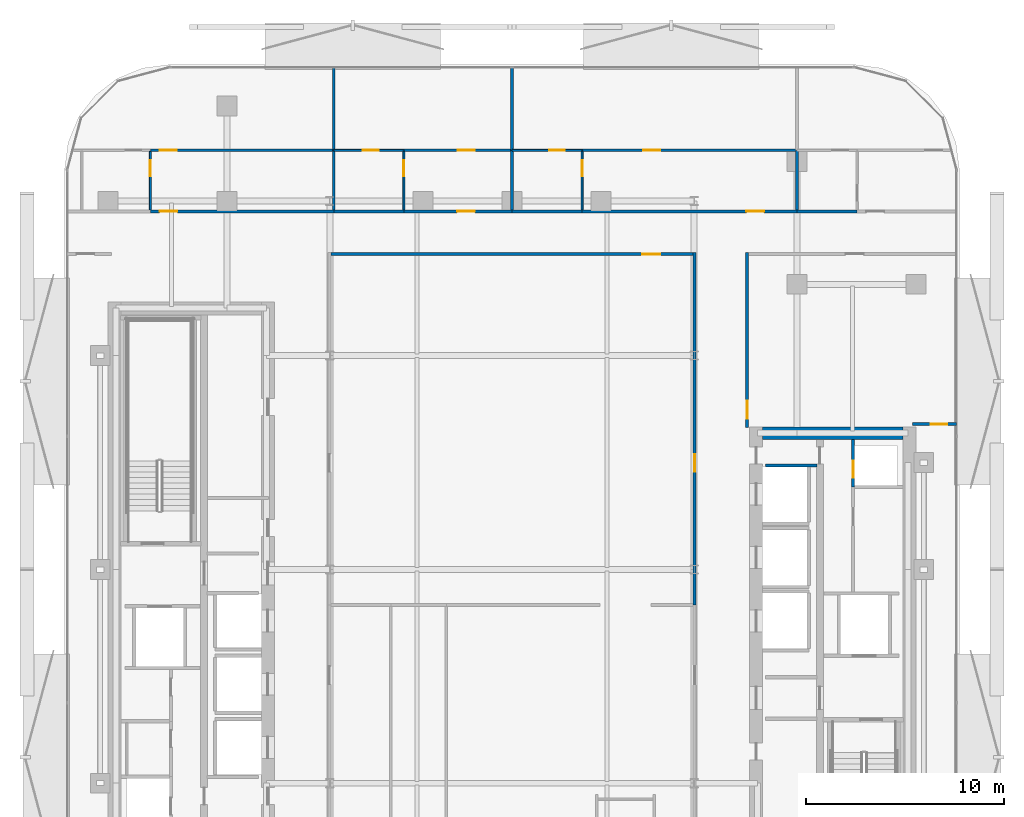
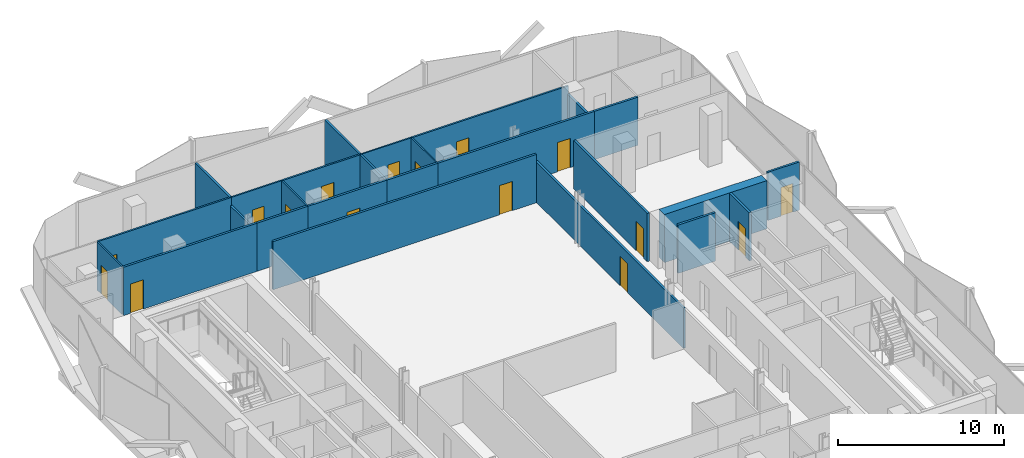
# One storey, part 6 of 17: 26 walls, 16 doors, 16 openings.
"""IFC4 building model written with IfcOpenShell, lengths in metres."""

import ifcopenshell
import ifcopenshell.guid

model = None  # the IFC model being written
_history = None  # IfcOwnerHistory: only IFC2X3 demands one
_inside = {}  # id of a spatial element -> (the spatial element, [elements in it])
_under = {}  # id of a project, library or spatial element -> (it, [spatial elements below it])
_declared = {}  # id of a project -> (the project, [libraries it declares])
_typed = {}  # id of a type object -> (the type object, [elements of that type])
_made_of = {}  # id of a material, layer set ... -> (it, [elements and type objects made of it])


def new_model(schema):
    """Start an empty IFC model of exactly this schema.

    Asked for "IFC4X3", IfcOpenShell would pick the latest addendum, in which some entities
    have other attributes; the version numbers below select the first issue.
    IFC2X3 requires an IfcOwnerHistory on every rooted entity: one is made here for all.
    """
    global model, _history
    if schema == "IFC4X3":
        model = ifcopenshell.file(schema_version=(4, 3, 0, 0))
    else:
        model = ifcopenshell.file(schema=schema)
    _inside.clear()
    _under.clear()
    _declared.clear()
    _typed.clear()
    _made_of.clear()
    _history = None
    if model.schema == "IFC2X3":
        org = make("IfcOrganization", Name="unknown")
        user = make(
            "IfcPersonAndOrganization",
            ThePerson=make("IfcPerson", FamilyName="unknown"),
            TheOrganization=org,
        )
        app = make(
            "IfcApplication",
            ApplicationDeveloper=org,
            Version="unknown",
            ApplicationFullName="unknown",
            ApplicationIdentifier="unknown",
        )
        _history = make(
            "IfcOwnerHistory",
            OwningUser=user,
            OwningApplication=app,
            ChangeAction="ADDED",
            CreationDate=0,
        )
    return model


def make(cls, **values):
    """One entity of the class cls with the attributes given. An attribute that is None is left unset."""
    return model.create_entity(
        cls, **{name: value for name, value in values.items() if value is not None}
    )


def rooted(cls, **values):
    """An entity with a GlobalId (a new one), such as an element, a storey or a relation."""
    return make(cls, GlobalId=ifcopenshell.guid.new(), OwnerHistory=_history, **values)


def si_unit(unit_type, name, prefix=None):
    """IfcSIUnit, for example si_unit("LENGTHUNIT", "METRE", prefix="MILLI")."""
    return make("IfcSIUnit", UnitType=unit_type, Prefix=prefix, Name=name)


def assignment(units):
    """IfcUnitAssignment: the units of a project."""
    return None if units is None else make("IfcUnitAssignment", Units=units)


def point(xyz):
    """IfcCartesianPoint."""
    return None if xyz is None else make("IfcCartesianPoint", Coordinates=xyz)


def direction(xyz):
    """IfcDirection."""
    return None if xyz is None else make("IfcDirection", DirectionRatios=xyz)


def frame(location, z_axis=None, x_axis=None):
    """IfcAxis2Placement3D, a coordinate frame: its origin and axes. An axis left out is left unset."""
    return make(
        "IfcAxis2Placement3D",
        Location=point(location),
        Axis=direction(z_axis),
        RefDirection=direction(x_axis),
    )


def frame_2d(location, x_axis=None):
    """IfcAxis2Placement2D, a coordinate frame in the plane: its origin and x axis."""
    return make(
        "IfcAxis2Placement2D", Location=point(location), RefDirection=direction(x_axis)
    )


def origin():
    """The frame at (0, 0, 0) with its axes left unset."""
    return frame((0.0, 0.0, 0.0))


def place(relative_to, where):
    """IfcLocalPlacement: puts the frame where relative to a parent placement (None: the world)."""
    return make(
        "IfcLocalPlacement", PlacementRelTo=relative_to, RelativePlacement=where
    )


def context(
    kind, dimensions, precision=None, world=None, true_north=None, identifier=None
):
    """IfcGeometricRepresentationContext, for example the 3D "Model" context."""
    return make(
        "IfcGeometricRepresentationContext",
        ContextIdentifier=identifier,
        ContextType=kind,
        CoordinateSpaceDimension=dimensions,
        Precision=precision,
        WorldCoordinateSystem=world,
        TrueNorth=true_north,
    )


def subcontext(parent, identifier, kind, view, scale=None):
    """IfcGeometricRepresentationSubContext, for example "Body" below "Model"."""
    return make(
        "IfcGeometricRepresentationSubContext",
        ContextIdentifier=identifier,
        ContextType=kind,
        ParentContext=parent,
        TargetScale=scale,
        TargetView=view,
    )


def project(units=None, contexts=None):
    """IfcProject with its units and contexts."""
    return rooted(
        "IfcProject",
        Name="project",
        RepresentationContexts=contexts,
        UnitsInContext=assignment(units),
    )


def spatial(cls, under=None, at=None, **own):
    """A site, building, storey or space (cls), placed at a placement, below another one or the project."""
    s = rooted(cls, ObjectPlacement=at, **own)
    if under is not None:
        _under.setdefault(under.id(), (under, []))[1].append(s)
    return s


def profile(cls, at=None, kind="AREA", **sizes):
    """A parametric profile (cls). Its sizes go by their IFC names, for example OverallWidth=200.0."""
    return make(cls, ProfileType=kind, Position=at, **sizes)


def rectangle(**sizes):
    """IfcRectangleProfileDef."""
    return profile("IfcRectangleProfileDef", **sizes)


def extrude(swept, where, along, depth):
    """IfcExtrudedAreaSolid: the profile swept, set in the frame where, extruded along a direction by depth."""
    return make(
        "IfcExtrudedAreaSolid",
        SweptArea=swept,
        Position=where,
        ExtrudedDirection=direction(along),
        Depth=depth,
    )


def shape(context_of_items, identifier, shape_type, items):
    """IfcShapeRepresentation: the items that make up one representation, for example the "Body"."""
    return make(
        "IfcShapeRepresentation",
        ContextOfItems=context_of_items,
        RepresentationIdentifier=identifier,
        RepresentationType=shape_type,
        Items=items,
    )


def material(Name=None, Category=None):
    """IfcMaterial."""
    return make("IfcMaterial", Name=Name, Category=Category)


def layer(
    of_material, thickness, ventilated=None, Name=None, Category=None, Priority=None
):
    """IfcMaterialLayer: one layer of a wall or slab, of a material (None: an air gap)."""
    return make(
        "IfcMaterialLayer",
        Material=of_material,
        LayerThickness=thickness,
        IsVentilated=ventilated,
        Name=Name,
        Category=Category,
        Priority=Priority,
    )


def layer_set(layers, Name=None):
    """IfcMaterialLayerSet."""
    return make("IfcMaterialLayerSet", MaterialLayers=layers, LayerSetName=Name)


def made_of(thing, what):
    """Note that an element or type object is made of a material, layer set ...; save() writes the relation."""
    if what is not None:
        _made_of.setdefault(what.id(), (what, []))[1].append(thing)
    return thing


def type_object(cls, material=None, **own):
    """A type object (cls), such as IfcWallType, which elements share."""
    return made_of(rooted(cls, **own), material)


def element(
    cls,
    number,
    at=None,
    inside=None,
    cuts=None,
    type_object=None,
    material=None,
    context=None,
    identifier="Body",
    shape_type=None,
    held_by="IfcProductDefinitionShape",
    body=None,
    shapes=None,
    **own,
):
    """One element of the class cls, such as IfcWall. Its Tag is "e" and its number.

    at: its placement. inside: the storey or other place that contains it. cuts: it is an
    opening in that element (IfcRelVoidsElement). A single representation is given by context,
    identifier, shape_type and body (its items); several are given by shapes. held_by: the class
    of the entity that holds the representations. save() writes the other relations.
    """
    e = rooted(cls, Tag="e%d" % number, ObjectPlacement=at, **own)
    if body is not None:
        shapes = [shape(context, identifier, shape_type, body)]
    if shapes is not None:
        e.Representation = make(held_by, Representations=shapes)
    if inside is not None:
        _inside.setdefault(inside.id(), (inside, []))[1].append(e)
    if cuts is not None:
        rooted(
            "IfcRelVoidsElement", RelatingBuildingElement=cuts, RelatedOpeningElement=e
        )
    if type_object is not None:
        _typed.setdefault(type_object.id(), (type_object, []))[1].append(e)
    return made_of(e, material)


def fill(opening, filler):
    """IfcRelFillsElement: the door or window that sits in an opening."""
    return rooted(
        "IfcRelFillsElement",
        RelatingOpeningElement=opening,
        RelatedBuildingElement=filler,
    )


def aggregate(whole, parts):
    """IfcRelAggregates: a whole, such as a stair, and the parts it consists of."""
    return rooted("IfcRelAggregates", RelatingObject=whole, RelatedObjects=parts)


def save(model, path):
    """Write the relations noted so far, then the file.

    IfcRelAggregates (storeys below a building ...), IfcRelContainedInSpatialStructure (elements
    in a storey), IfcRelDefinesByType, IfcRelAssociatesMaterial and IfcRelDeclares: one each for
    every whole, place, type object, material and project.
    """
    for whole, parts in _under.values():
        aggregate(whole, parts)
    for where, things in _inside.values():
        rooted(
            "IfcRelContainedInSpatialStructure",
            RelatedElements=things,
            RelatingStructure=where,
        )
    for kind, things in _typed.values():
        rooted("IfcRelDefinesByType", RelatedObjects=things, RelatingType=kind)
    for what, things in _made_of.values():
        rooted("IfcRelAssociatesMaterial", RelatedObjects=things, RelatingMaterial=what)
    for by, libraries in _declared.values():
        rooted("IfcRelDeclares", RelatingContext=by, RelatedDefinitions=libraries)
    model.write(path)


model = new_model("IFC4")

# Units and contexts
model_context = context("Model", 3, precision=1e-05, world=origin(), true_north=direction((0.0, 1.0)))
body_context = subcontext(model_context, "Body", "Model", "MODEL_VIEW")
ifc_project = project(units=[si_unit("LENGTHUNIT", "METRE"), si_unit("AREAUNIT", "SQUARE_METRE"), si_unit("VOLUMEUNIT", "CUBIC_METRE"), si_unit("PLANEANGLEUNIT", "RADIAN"), si_unit("MASSUNIT", "GRAM", prefix="KILO")], contexts=[model_context])

# Site, building, storey
site_placement = place(None, origin())
site = spatial("IfcSite", under=ifc_project, at=site_placement, CompositionType="ELEMENT")
building_placement = place(site_placement, origin())
building = spatial("IfcBuilding", under=site, at=building_placement, Name="Khairoan Windgate Tower", CompositionType="ELEMENT")
storey_placement = place(building_placement, frame((0.0, 0.0, 203.0)))
storey = spatial("IfcBuildingStorey", under=building, at=storey_placement, Name="L47", CompositionType="ELEMENT", Elevation=203.0)

# Wall, opening, door
ifc_material_1 = material(Name="Moisture-Resistant Gypsum Partition", Category="gypsum")
ifc_layer_1 = layer(ifc_material_1, 0.10009765625, Name="Moisture-Resistant Gypsum Partition")
ifc_layer_set_1 = layer_set([ifc_layer_1], Name="Moisture-Resistant Gypsum Partition")
wall_type_1 = type_object("IfcWallType", Name="Bathroom Wet-Area Partition Wall", PredefinedType="PARTITIONING", material=ifc_layer_set_1)
wall_1_placement = place(storey_placement, frame((-18.260009765625, 18.155029296875, 0.0), z_axis=(0.0, 0.0, 1.0), x_axis=(0.0, 1.0, 0.0)))
wall_1 = element("IfcWall", 1, at=wall_1_placement, inside=storey, type_object=wall_type_1, Name="L47 Interior Partition 046", PredefinedType="PARTITIONING", context=body_context, shape_type="SweptSolid", body=[
    extrude(rectangle(XDim=2.965087890625, YDim=0.10009765625, at=frame_2d((1.482421875, 0.0))), origin(), (0.0, 0.0, 1.0), 3.5400390625),
])
opening_1_placement = place(wall_1_placement, frame((1.705078125, 0.0, 0.0)))
opening_1 = element("IfcOpeningElement", 2, at=opening_1_placement, cuts=wall_1, Name="Opening ID-BTH", PredefinedType="OPENING", context=body_context, shape_type="SweptSolid", body=[
    extrude(rectangle(XDim=0.800048828125, YDim=2.10009765625, at=frame_2d((0.39990234375, 1.050048828125))), frame((0.0, 0.06005859375, 0.0), z_axis=(0.0, -1.0, 0.0), x_axis=(1.0, 0.0, 0.0)), (0.0, 0.0, 1.0), 0.1201171875),
])
ifc_material_2 = material(Name="Teak Veneer Timber Leaf", Category="wood")
door_type_1 = type_object("IfcDoorType", Name="Internal Bathroom Door ID-BTH 800x2100", OperationType="NOTDEFINED", PredefinedType="DOOR", material=ifc_material_2)
door_1_placement = place(opening_1_placement, origin())
door_1 = element("IfcDoor", 3, at=door_1_placement, inside=storey, type_object=door_type_1, Name="L47 L47-37-L47-38 Door", OperationType="SINGLE_SWING_RIGHT", OverallHeight=2.10009765625, OverallWidth=0.800048828125, PredefinedType="DOOR", context=body_context, shape_type="SweptSolid", body=[
    extrude(rectangle(XDim=0.800048828125, YDim=2.10009765625, at=frame_2d((0.39990234375, 1.050048828125))), frame((0.0, 0.02490234375, 0.0), z_axis=(0.0, -1.0, 0.0), x_axis=(1.0, 0.0, 0.0)), (0.0, 0.0, 1.0), 0.050048828125),
])
fill(opening_1, door_1)

wall_2_placement = place(storey_placement, frame((-5.4599609375, 18.155029296875, 0.0), z_axis=(0.0, 0.0, 1.0), x_axis=(0.0, 1.0, 0.0)))
wall_2 = element("IfcWall", 4, at=wall_2_placement, inside=storey, type_object=wall_type_1, Name="L47 Interior Partition 051", PredefinedType="PARTITIONING", context=body_context, shape_type="SweptSolid", body=[
    extrude(rectangle(XDim=2.965087890625, YDim=0.10009765625, at=frame_2d((1.482421875, 0.0))), origin(), (0.0, 0.0, 1.0), 3.5400390625),
])
opening_2_placement = place(wall_2_placement, frame((1.705078125, 0.0, 0.0)))
opening_2 = element("IfcOpeningElement", 5, at=opening_2_placement, cuts=wall_2, Name="Opening ID-BTH", PredefinedType="OPENING", context=body_context, shape_type="SweptSolid", body=[
    extrude(rectangle(XDim=0.800048828125, YDim=2.10009765625, at=frame_2d((0.39990234375, 1.050048828125))), frame((0.0, 0.06005859375, 0.0), z_axis=(0.0, -1.0, 0.0), x_axis=(1.0, 0.0, 0.0)), (0.0, 0.0, 1.0), 0.1201171875),
])
door_2_placement = place(opening_2_placement, origin())
door_2 = element("IfcDoor", 6, at=door_2_placement, inside=storey, type_object=door_type_1, Name="L47 L47-40-L47-41 Door", OperationType="SINGLE_SWING_LEFT", OverallHeight=2.10009765625, OverallWidth=0.800048828125, PredefinedType="DOOR", context=body_context, shape_type="SweptSolid", body=[
    extrude(rectangle(XDim=0.800048828125, YDim=2.10009765625, at=frame_2d((0.39990234375, 1.050048828125))), frame((0.0, 0.02490234375, 0.0), z_axis=(0.0, -1.0, 0.0), x_axis=(1.0, 0.0, 0.0)), (0.0, 0.0, 1.0), 0.050048828125),
])
fill(opening_2, door_2)

wall_3_placement = place(storey_placement, frame((-9.0, 21.169921875, 0.0), z_axis=(0.0, 0.0, 1.0), x_axis=(1.0, 0.0, 0.0)))
wall_3 = element("IfcWall", 7, at=wall_3_placement, inside=storey, type_object=wall_type_1, Name="L47 Interior Partition 052", PredefinedType="PARTITIONING", context=body_context, shape_type="SweptSolid", body=[
    extrude(rectangle(XDim=3.5400390625, YDim=0.10009765625, at=frame_2d((1.77001953125, 0.0))), origin(), (0.0, 0.0, 1.0), 3.5400390625),
])
opening_3_placement = place(wall_3_placement, frame((1.47119140625, 0.0, 0.0)))
opening_3 = element("IfcOpeningElement", 8, at=opening_3_placement, cuts=wall_3, Name="Opening ID-BTH", PredefinedType="OPENING", context=body_context, shape_type="SweptSolid", body=[
    extrude(rectangle(XDim=0.800048828125, YDim=2.10009765625, at=frame_2d((0.39990234375, 1.050048828125))), frame((0.0, 0.06005859375, 0.0), z_axis=(0.0, -1.0, 0.0), x_axis=(1.0, 0.0, 0.0)), (0.0, 0.0, 1.0), 0.1201171875),
])
door_3_placement = place(opening_3_placement, origin())
door_3 = element("IfcDoor", 9, at=door_3_placement, inside=storey, type_object=door_type_1, Name="L47 L47-40-L47-42 Door", OperationType="SINGLE_SWING_RIGHT", OverallHeight=2.10009765625, OverallWidth=0.800048828125, PredefinedType="DOOR", context=body_context, shape_type="SweptSolid", body=[
    extrude(rectangle(XDim=0.800048828125, YDim=2.10009765625, at=frame_2d((0.39990234375, 1.050048828125))), frame((0.0, 0.02490234375, 0.0), z_axis=(0.0, -1.0, 0.0), x_axis=(1.0, 0.0, 0.0)), (0.0, 0.0, 1.0), 0.050048828125),
])
fill(opening_3, door_3)

wall_4_placement = place(storey_placement, frame((3.5400390625, 18.155029296875, 0.0), z_axis=(0.0, 0.0, 1.0), x_axis=(0.0, 1.0, 0.0)))
wall_4 = element("IfcWall", 10, at=wall_4_placement, inside=storey, type_object=wall_type_1, Name="L47 Interior Partition 056", PredefinedType="PARTITIONING", context=body_context, shape_type="SweptSolid", body=[
    extrude(rectangle(XDim=2.965087890625, YDim=0.10009765625, at=frame_2d((1.482421875, 0.0))), origin(), (0.0, 0.0, 1.0), 3.5400390625),
])
opening_4_placement = place(wall_4_placement, frame((1.705078125, 0.0, 0.0)))
opening_4 = element("IfcOpeningElement", 11, at=opening_4_placement, cuts=wall_4, Name="Opening ID-BTH", PredefinedType="OPENING", context=body_context, shape_type="SweptSolid", body=[
    extrude(rectangle(XDim=0.800048828125, YDim=2.10009765625, at=frame_2d((0.39990234375, 1.050048828125))), frame((0.0, 0.06005859375, 0.0), z_axis=(0.0, -1.0, 0.0), x_axis=(1.0, 0.0, 0.0)), (0.0, 0.0, 1.0), 0.1201171875),
])
door_4_placement = place(opening_4_placement, origin())
door_4 = element("IfcDoor", 12, at=door_4_placement, inside=storey, type_object=door_type_1, Name="L47 L47-43-L47-44 Door", OperationType="SINGLE_SWING_RIGHT", OverallHeight=2.10009765625, OverallWidth=0.800048828125, PredefinedType="DOOR", context=body_context, shape_type="SweptSolid", body=[
    extrude(rectangle(XDim=0.800048828125, YDim=2.10009765625, at=frame_2d((0.39990234375, 1.050048828125))), frame((0.0, 0.02490234375, 0.0), z_axis=(0.0, -1.0, 0.0), x_axis=(1.0, 0.0, 0.0)), (0.0, 0.0, 1.0), 0.050048828125),
])
fill(opening_4, door_4)

wall_5_placement = place(storey_placement, frame((0.0, 21.169921875, 0.0), z_axis=(0.0, 0.0, 1.0), x_axis=(1.0, 0.0, 0.0)))
wall_5 = element("IfcWall", 13, at=wall_5_placement, inside=storey, type_object=wall_type_1, Name="L47 Interior Partition 057", PredefinedType="PARTITIONING", context=body_context, shape_type="SweptSolid", body=[
    extrude(rectangle(XDim=3.5400390625, YDim=0.10009765625, at=frame_2d((1.77001953125, 0.0))), origin(), (0.0, 0.0, 1.0), 3.5400390625),
])
opening_5_placement = place(wall_5_placement, frame((1.87548828125, 0.0, 0.0)))
opening_5 = element("IfcOpeningElement", 14, at=opening_5_placement, cuts=wall_5, Name="Opening ID-BTH", PredefinedType="OPENING", context=body_context, shape_type="SweptSolid", body=[
    extrude(rectangle(XDim=0.800048828125, YDim=2.10009765625, at=frame_2d((0.39990234375, 1.050048828125))), frame((0.0, 0.06005859375, 0.0), z_axis=(0.0, -1.0, 0.0), x_axis=(1.0, 0.0, 0.0)), (0.0, 0.0, 1.0), 0.1201171875),
])
door_5_placement = place(opening_5_placement, origin())
door_5 = element("IfcDoor", 15, at=door_5_placement, inside=storey, type_object=door_type_1, Name="L47 L47-43-L47-45 Door", OperationType="SINGLE_SWING_LEFT", OverallHeight=2.10009765625, OverallWidth=0.800048828125, PredefinedType="DOOR", context=body_context, shape_type="SweptSolid", body=[
    extrude(rectangle(XDim=0.800048828125, YDim=2.10009765625, at=frame_2d((0.39990234375, 1.050048828125))), frame((0.0, 0.02490234375, 0.0), z_axis=(0.0, -1.0, 0.0), x_axis=(1.0, 0.0, 0.0)), (0.0, 0.0, 1.0), 0.050048828125),
])
fill(opening_5, door_5)

# Walls
ifc_material_3 = material(Name="Concrete C40/50", Category="concrete")
ifc_layer_2 = layer(ifc_material_3, 0.159912109375, Name="Concrete C40/50")
ifc_layer_set_2 = layer_set([ifc_layer_2], Name="Concrete C40/50")
wall_type_2 = type_object("IfcWallType", Name="Core and Hoistway Enclosure Wall", PredefinedType="STANDARD", material=ifc_layer_set_2)
wall_6_placement = place(storey_placement, frame((12.800048828125, 5.25, 0.0), z_axis=(0.0, 0.0, 1.0), x_axis=(1.0, 0.0, 0.0)))
element("IfcWall", 16, at=wall_6_placement, inside=storey, type_object=wall_type_2, Name="L47 Core Shaft Wall SW-ESV-L47", PredefinedType="STANDARD", context=body_context, shape_type="SweptSolid", body=[
    extrude(rectangle(XDim=2.599853515625, YDim=0.159912109375, at=frame_2d((1.2998046875, 0.0))), origin(), (0.0, 0.0, 1.0), 3.5400390625),
])
ifc_material_4 = material(Name="Acoustic Fire-Rated Gypsum Partition", Category="gypsum")
ifc_layer_3 = layer(ifc_material_4, 0.139892578125, Name="Acoustic Fire-Rated Gypsum Partition")
ifc_layer_set_3 = layer_set([ifc_layer_3], Name="Acoustic Fire-Rated Gypsum Partition")
wall_type_3 = type_object("IfcWallType", Name="Inter-Tenancy Compartment Wall", PredefinedType="PARTITIONING", material=ifc_layer_set_3)
wall_7_placement = place(storey_placement, frame((-9.0, 18.155029296875, 0.0), z_axis=(0.0, 0.0, 1.0), x_axis=(0.0, 1.0, 0.0)))
element("IfcWall", 17, at=wall_7_placement, inside=storey, type_object=wall_type_3, Name="L47 Interior Partition 049", PredefinedType="PARTITIONING", context=body_context, shape_type="SweptSolid", body=[
    extrude(rectangle(XDim=3.014892578125, YDim=0.139892578125, at=frame_2d((1.50732421875, 0.0))), origin(), (0.0, 0.0, 1.0), 2.951904296875),
])
wall_8_placement = place(storey_placement, frame((-9.0, 21.169921875, 0.0), z_axis=(0.0, 0.0, 1.0), x_axis=(0.0, 1.0, 0.0)))
element("IfcWall", 18, at=wall_8_placement, inside=storey, type_object=wall_type_3, Name="L47 Interior Partition 050", PredefinedType="PARTITIONING", context=body_context, shape_type="SweptSolid", body=[
    extrude(rectangle(XDim=4.18505859375, YDim=0.139892578125, at=frame_2d((2.092529296875, 0.0))), origin(), (0.0, 0.0, 1.0), 3.5400390625),
])
wall_9_placement = place(storey_placement, frame((0.0, 18.155029296875, 0.0), z_axis=(0.0, 0.0, 1.0), x_axis=(0.0, 1.0, 0.0)))
element("IfcWall", 19, at=wall_9_placement, inside=storey, type_object=wall_type_3, Name="L47 Interior Partition 054", PredefinedType="PARTITIONING", context=body_context, shape_type="SweptSolid", body=[
    extrude(rectangle(XDim=3.014892578125, YDim=0.139892578125, at=frame_2d((1.50732421875, 0.0))), origin(), (0.0, 0.0, 1.0), 3.5400390625),
])
wall_10_placement = place(storey_placement, frame((0.0, 21.169921875, 0.0), z_axis=(0.0, 0.0, 1.0), x_axis=(0.0, 1.0, 0.0)))
element("IfcWall", 20, at=wall_10_placement, inside=storey, type_object=wall_type_3, Name="L47 Interior Partition 055", PredefinedType="PARTITIONING", context=body_context, shape_type="SweptSolid", body=[
    extrude(rectangle(XDim=4.18505859375, YDim=0.139892578125, at=frame_2d((2.092529296875, 0.0))), origin(), (0.0, 0.0, 1.0), 3.5400390625),
])
wall_11_placement = place(storey_placement, frame((14.39990234375, 18.155029296875, 0.0), z_axis=(0.0, 0.0, 1.0), x_axis=(0.0, 1.0, 0.0)))
element("IfcWall", 21, at=wall_11_placement, inside=storey, type_object=wall_type_3, Name="L47 Interior Partition 059", PredefinedType="PARTITIONING", context=body_context, shape_type="SweptSolid", body=[
    extrude(rectangle(XDim=3.014892578125, YDim=0.139892578125, at=frame_2d((1.50732421875, 0.0))), origin(), (0.0, 0.0, 1.0), 2.951904296875),
])

# Wall, opening, door
wall_12_placement = place(storey_placement, frame((20.239990234375, 7.340087890625, 0.0), z_axis=(0.0, 0.0, 1.0), x_axis=(1.0, 0.0, 0.0)))
wall_12 = element("IfcWall", 22, at=wall_12_placement, inside=storey, type_object=wall_type_3, Name="L47 Interior Partition 077", PredefinedType="PARTITIONING", context=body_context, shape_type="SweptSolid", body=[
    extrude(rectangle(XDim=2.215087890625, YDim=0.139892578125, at=frame_2d((1.107421875, 0.0))), origin(), (0.0, 0.0, 1.0), 3.5400390625),
])
opening_6_placement = place(wall_12_placement, frame((0.905029296875, 0.0, 0.0)))
opening_6 = element("IfcOpeningElement", 23, at=opening_6_placement, cuts=wall_12, Name="Opening FD-SRV", PredefinedType="OPENING", context=body_context, shape_type="SweptSolid", body=[
    extrude(rectangle(XDim=0.85009765625, YDim=2.10009765625, at=frame_2d((0.425048828125, 1.050048828125))), frame((0.0, 0.079833984375, 0.0), z_axis=(0.0, -1.0, 0.0), x_axis=(1.0, 0.0, 0.0)), (0.0, 0.0, 1.0), 0.159912109375),
])
ifc_material_5 = material(Name="Steel S355", Category="steel")
door_type_2 = type_object("IfcDoorType", Name="Core Service and Riser Fire Door FD-SRV 850x2100", OperationType="NOTDEFINED", PredefinedType="DOOR", material=ifc_material_5)
door_6_placement = place(opening_6_placement, origin())
door_6 = element("IfcDoor", 24, at=door_6_placement, inside=storey, type_object=door_type_2, Name="L47 L47-58-L47-60 Door", OperationType="SINGLE_SWING_LEFT", OverallHeight=2.10009765625, OverallWidth=0.85009765625, PredefinedType="DOOR", context=body_context, shape_type="SweptSolid", body=[
    extrude(rectangle(XDim=0.85009765625, YDim=2.10009765625, at=frame_2d((0.425048828125, 1.050048828125))), frame((0.0, 0.02490234375, 0.0), z_axis=(0.0, -1.0, 0.0), x_axis=(1.0, 0.0, 0.0)), (0.0, 0.0, 1.0), 0.050048828125),
])
fill(opening_6, door_6)

ifc_material_6 = material(Name="Gypsum Stud Partition", Category="gypsum")
ifc_layer_4 = layer(ifc_material_6, 0.1201171875, Name="Gypsum Stud Partition")
ifc_layer_set_4 = layer_set([ifc_layer_4], Name="Gypsum Stud Partition")
wall_type_4 = type_object("IfcWallType", Name="Internal Room Partition Wall", PredefinedType="PARTITIONING", material=ifc_layer_set_4)
wall_13_placement = place(storey_placement, frame((-18.260009765625, 21.169921875, 0.0), z_axis=(0.0, 0.0, 1.0), x_axis=(1.0, 0.0, 0.0)))
wall_13 = element("IfcWall", 25, at=wall_13_placement, inside=storey, type_object=wall_type_4, Name="L47 Interior Partition 048", PredefinedType="PARTITIONING", context=body_context, shape_type="SweptSolid", body=[
    extrude(rectangle(XDim=9.260009765625, YDim=0.1201171875, at=frame_2d((4.6298828125, 0.0))), origin(), (0.0, 0.0, 1.0), 3.5400390625),
])
opening_7_placement = place(wall_13_placement, frame((0.4599609375, 0.0, 0.0)))
opening_7 = element("IfcOpeningElement", 26, at=opening_7_placement, cuts=wall_13, Name="Opening ID-RM", PredefinedType="OPENING", context=body_context, shape_type="SweptSolid", body=[
    extrude(rectangle(XDim=0.860107421875, YDim=2.14990234375, at=frame_2d((0.43017578125, 1.074951171875))), frame((0.0, 0.070068359375, 0.0), z_axis=(0.0, -1.0, 0.0), x_axis=(1.0, 0.0, 0.0)), (0.0, 0.0, 1.0), 0.14013671875),
])
ifc_material_7 = material(Name="Teak Veneer Timber Leaf", Category="wood")
door_type_3 = type_object("IfcDoorType", Name="Internal Bedroom and Office Door ID-RM 860x2150", OperationType="NOTDEFINED", PredefinedType="DOOR", material=ifc_material_7)
door_7_placement = place(opening_7_placement, origin())
door_7 = element("IfcDoor", 27, at=door_7_placement, inside=storey, type_object=door_type_3, Name="L47 L47-38-L47-39 Door", OperationType="SINGLE_SWING_RIGHT", OverallHeight=2.14990234375, OverallWidth=0.860107421875, PredefinedType="DOOR", context=body_context, shape_type="SweptSolid", body=[
    extrude(rectangle(XDim=0.860107421875, YDim=2.14990234375, at=frame_2d((0.43017578125, 1.074951171875))), frame((0.0, 0.02490234375, 0.0), z_axis=(0.0, -1.0, 0.0), x_axis=(1.0, 0.0, 0.0)), (0.0, 0.0, 1.0), 0.050048828125),
])
fill(opening_7, door_7)

wall_14_placement = place(storey_placement, frame((-5.4599609375, 21.169921875, 0.0), z_axis=(0.0, 0.0, 1.0), x_axis=(1.0, 0.0, 0.0)))
wall_14 = element("IfcWall", 28, at=wall_14_placement, inside=storey, type_object=wall_type_4, Name="L47 Interior Partition 053", PredefinedType="PARTITIONING", context=body_context, shape_type="SweptSolid", body=[
    extrude(rectangle(XDim=5.4599609375, YDim=0.1201171875, at=frame_2d((2.72998046875, 0.0))), origin(), (0.0, 0.0, 1.0), 3.5400390625),
])
opening_8_placement = place(wall_14_placement, frame((2.708984375, 0.0, 0.0)))
opening_8 = element("IfcOpeningElement", 29, at=opening_8_placement, cuts=wall_14, Name="Opening ID-RM", PredefinedType="OPENING", context=body_context, shape_type="SweptSolid", body=[
    extrude(rectangle(XDim=0.860107421875, YDim=2.14990234375, at=frame_2d((0.43017578125, 1.074951171875))), frame((0.0, 0.070068359375, 0.0), z_axis=(0.0, -1.0, 0.0), x_axis=(1.0, 0.0, 0.0)), (0.0, 0.0, 1.0), 0.14013671875),
])
door_8_placement = place(opening_8_placement, origin())
door_8 = element("IfcDoor", 30, at=door_8_placement, inside=storey, type_object=door_type_3, Name="L47 L47-41-L47-42 Door", OperationType="SINGLE_SWING_LEFT", OverallHeight=2.14990234375, OverallWidth=0.860107421875, PredefinedType="DOOR", context=body_context, shape_type="SweptSolid", body=[
    extrude(rectangle(XDim=0.860107421875, YDim=2.14990234375, at=frame_2d((0.43017578125, 1.074951171875))), frame((0.0, 0.02490234375, 0.0), z_axis=(0.0, -1.0, 0.0), x_axis=(1.0, 0.0, 0.0)), (0.0, 0.0, 1.0), 0.050048828125),
])
fill(opening_8, door_8)

wall_15_placement = place(storey_placement, frame((3.5400390625, 21.169921875, 0.0), z_axis=(0.0, 0.0, 1.0), x_axis=(1.0, 0.0, 0.0)))
wall_15 = element("IfcWall", 31, at=wall_15_placement, inside=storey, type_object=wall_type_4, Name="L47 Interior Partition 058", PredefinedType="PARTITIONING", context=body_context, shape_type="SweptSolid", body=[
    extrude(rectangle(XDim=10.85986328125, YDim=0.1201171875, at=frame_2d((5.429931640625, 0.0))), origin(), (0.0, 0.0, 1.0), 3.5400390625),
])
opening_9_placement = place(wall_15_placement, frame((3.0830078125, 0.0, 0.0)))
opening_9 = element("IfcOpeningElement", 32, at=opening_9_placement, cuts=wall_15, Name="Opening ID-RM", PredefinedType="OPENING", context=body_context, shape_type="SweptSolid", body=[
    extrude(rectangle(XDim=0.860107421875, YDim=2.14990234375, at=frame_2d((0.43017578125, 1.074951171875))), frame((0.0, 0.070068359375, 0.0), z_axis=(0.0, -1.0, 0.0), x_axis=(1.0, 0.0, 0.0)), (0.0, 0.0, 1.0), 0.14013671875),
])
door_9_placement = place(opening_9_placement, origin())
door_9 = element("IfcDoor", 33, at=door_9_placement, inside=storey, type_object=door_type_3, Name="L47 L47-44-L47-45 Door", OperationType="SINGLE_SWING_RIGHT", OverallHeight=2.14990234375, OverallWidth=0.860107421875, PredefinedType="DOOR", context=body_context, shape_type="SweptSolid", body=[
    extrude(rectangle(XDim=0.860107421875, YDim=2.14990234375, at=frame_2d((0.43017578125, 1.074951171875))), frame((0.0, 0.02490234375, 0.0), z_axis=(0.0, -1.0, 0.0), x_axis=(1.0, 0.0, 0.0)), (0.0, 0.0, 1.0), 0.050048828125),
])
fill(opening_9, door_9)

ifc_material_8 = material(Name="Concrete C40/50", Category="concrete")
ifc_layer_5 = layer(ifc_material_8, 0.159912109375, Name="Concrete C40/50")
ifc_layer_set_5 = layer_set([ifc_layer_5], Name="Concrete C40/50")
wall_type_5 = type_object("IfcWallType", Name="Plant and Refuge Compartment Wall", PredefinedType="PARTITIONING", material=ifc_layer_set_5)
wall_16_placement = place(storey_placement, frame((17.22998046875, 4.169921875, 0.0), z_axis=(0.0, 0.0, 1.0), x_axis=(0.0, 1.0, 0.0)))
wall_16 = element("IfcWall", 34, at=wall_16_placement, inside=storey, type_object=wall_type_5, Name="L47 Interior Partition 007", PredefinedType="PARTITIONING", context=body_context, shape_type="SweptSolid", body=[
    extrude(rectangle(XDim=2.380126953125, YDim=0.159912109375, at=frame_2d((1.18994140625, 0.0))), origin(), (0.0, 0.0, 1.0), 3.5400390625),
])
opening_10_placement = place(wall_16_placement, frame((0.4599609375, 0.0, 0.0)))
opening_10 = element("IfcOpeningElement", 35, at=opening_10_placement, cuts=wall_16, Name="Opening FD-SRV", PredefinedType="OPENING", context=body_context, shape_type="SweptSolid", body=[
    extrude(rectangle(XDim=0.85009765625, YDim=2.10009765625, at=frame_2d((0.425048828125, 1.050048828125))), frame((0.0, 0.08984375, 0.0), z_axis=(0.0, -1.0, 0.0), x_axis=(1.0, 0.0, 0.0)), (0.0, 0.0, 1.0), 0.179931640625),
])
door_10_placement = place(opening_10_placement, origin())
door_10 = element("IfcDoor", 36, at=door_10_placement, inside=storey, type_object=door_type_2, Name="L47 L47-18-L47-19 Door", OperationType="SINGLE_SWING_LEFT", OverallHeight=2.10009765625, OverallWidth=0.85009765625, PredefinedType="DOOR", context=body_context, shape_type="SweptSolid", body=[
    extrude(rectangle(XDim=0.85009765625, YDim=2.10009765625, at=frame_2d((0.425048828125, 1.050048828125))), frame((0.0, 0.02490234375, 0.0), z_axis=(0.0, -1.0, 0.0), x_axis=(1.0, 0.0, 0.0)), (0.0, 0.0, 1.0), 0.050048828125),
])
fill(opening_10, door_10)

ifc_material_9 = material(Name="Acoustic Fire-Rated Gypsum Partition", Category="gypsum")
ifc_layer_6 = layer(ifc_material_9, 0.14990234375, Name="Acoustic Fire-Rated Gypsum Partition")
ifc_layer_set_6 = layer_set([ifc_layer_6], Name="Acoustic Fire-Rated Gypsum Partition")
wall_type_6 = type_object("IfcWallType", Name="Rated Corridor Partition Wall", PredefinedType="PARTITIONING", material=ifc_layer_set_6)
wall_17_placement = place(storey_placement, frame((9.219970703125, -1.800048828125, 0.0), z_axis=(0.0, 0.0, 1.0), x_axis=(0.0, 1.0, 0.0)))
wall_17 = element("IfcWall", 37, at=wall_17_placement, inside=storey, type_object=wall_type_6, Name="L47 Interior Partition 013", PredefinedType="PARTITIONING", context=body_context, shape_type="SweptSolid", body=[
    extrude(rectangle(XDim=17.795166015625, YDim=0.14990234375, at=frame_2d((8.8974609375, 0.0))), origin(), (0.0, 0.0, 1.0), 2.951904296875),
])
opening_11_placement = place(wall_17_placement, frame((6.728759765625, 0.0, 0.0)))
opening_11 = element("IfcOpeningElement", 38, at=opening_11_placement, cuts=wall_17, Name="Opening FD-ENT", PredefinedType="OPENING", context=body_context, shape_type="SweptSolid", body=[
    extrude(rectangle(XDim=0.89990234375, YDim=2.14990234375, at=frame_2d((0.449951171875, 1.074951171875))), frame((0.0, 0.0849609375, 0.0), z_axis=(0.0, -1.0, 0.0), x_axis=(1.0, 0.0, 0.0)), (0.0, 0.0, 1.0), 0.169921875),
])
ifc_material_10 = material(Name="Timber Fire-Rated Core", Category="wood")
door_type_4 = type_object("IfcDoorType", Name="Unit and Office Fire Entrance Door FD-ENT 900x2150", OperationType="NOTDEFINED", PredefinedType="DOOR", material=ifc_material_10)
door_11_placement = place(opening_11_placement, origin())
door_11 = element("IfcDoor", 39, at=door_11_placement, inside=storey, type_object=door_type_4, Name="L47 L47-28-L47-36 Door", OperationType="SINGLE_SWING_RIGHT", OverallHeight=2.14990234375, OverallWidth=0.89990234375, PredefinedType="DOOR", context=body_context, shape_type="SweptSolid", body=[
    extrude(rectangle(XDim=0.89990234375, YDim=2.14990234375, at=frame_2d((0.449951171875, 1.074951171875))), frame((0.0, 0.02490234375, 0.0), z_axis=(0.0, -1.0, 0.0), x_axis=(1.0, 0.0, 0.0)), (0.0, 0.0, 1.0), 0.050048828125),
])
fill(opening_11, door_11)

wall_18_placement = place(storey_placement, frame((11.8798828125, 7.159912109375, 0.0), z_axis=(0.0, 0.0, 1.0), x_axis=(0.0, 1.0, 0.0)))
wall_18 = element("IfcWall", 40, at=wall_18_placement, inside=storey, type_object=wall_type_6, Name="L47 Interior Partition 014", PredefinedType="PARTITIONING", context=body_context, shape_type="SweptSolid", body=[
    extrude(rectangle(XDim=8.85498046875, YDim=0.14990234375, at=frame_2d((4.427490234375, 0.0))), origin(), (0.0, 0.0, 1.0), 3.5400390625),
])
opening_12_placement = place(wall_18_placement, frame((0.4599609375, 0.0, 0.0)))
opening_12 = element("IfcOpeningElement", 41, at=opening_12_placement, cuts=wall_18, Name="Opening FD-ENT", PredefinedType="OPENING", context=body_context, shape_type="SweptSolid", body=[
    extrude(rectangle(XDim=0.89990234375, YDim=2.14990234375, at=frame_2d((0.449951171875, 1.074951171875))), frame((0.0, 0.0849609375, 0.0), z_axis=(0.0, -1.0, 0.0), x_axis=(1.0, 0.0, 0.0)), (0.0, 0.0, 1.0), 0.169921875),
])
door_12_placement = place(opening_12_placement, origin())
door_12 = element("IfcDoor", 42, at=door_12_placement, inside=storey, type_object=door_type_4, Name="L47 L47-28-L47-58 Door", OperationType="SINGLE_SWING_LEFT", OverallHeight=2.14990234375, OverallWidth=0.89990234375, PredefinedType="DOOR", context=body_context, shape_type="SweptSolid", body=[
    extrude(rectangle(XDim=0.89990234375, YDim=2.14990234375, at=frame_2d((0.449951171875, 1.074951171875))), frame((0.0, 0.02490234375, 0.0), z_axis=(0.0, -1.0, 0.0), x_axis=(1.0, 0.0, 0.0)), (0.0, 0.0, 1.0), 0.050048828125),
])
fill(opening_12, door_12)

wall_19_placement = place(storey_placement, frame((-9.14501953125, 15.919921875, 0.0), z_axis=(0.0, 0.0, 1.0), x_axis=(1.0, 0.0, 0.0)))
wall_19 = element("IfcWall", 43, at=wall_19_placement, inside=storey, type_object=wall_type_6, Name="L47 Interior Partition 015", PredefinedType="PARTITIONING", context=body_context, shape_type="SweptSolid", body=[
    extrude(rectangle(XDim=18.2900390625, YDim=0.14990234375, at=frame_2d((9.14501953125, 0.0))), origin(), (0.0, 0.0, 1.0), 3.5400390625),
])
opening_13_placement = place(wall_19_placement, frame((15.724853515625, 0.0, 0.0)))
opening_13 = element("IfcOpeningElement", 44, at=opening_13_placement, cuts=wall_19, Name="Opening FD-ENT", PredefinedType="OPENING", context=body_context, shape_type="SweptSolid", body=[
    extrude(rectangle(XDim=0.89990234375, YDim=2.14990234375, at=frame_2d((0.449951171875, 1.074951171875))), frame((0.0, 0.0849609375, 0.0), z_axis=(0.0, -1.0, 0.0), x_axis=(1.0, 0.0, 0.0)), (0.0, 0.0, 1.0), 0.169921875),
])
door_13_placement = place(opening_13_placement, origin())
door_13 = element("IfcDoor", 45, at=door_13_placement, inside=storey, type_object=door_type_4, Name="L47 L47-29-L47-36 Door", OperationType="SINGLE_SWING_RIGHT", OverallHeight=2.14990234375, OverallWidth=0.89990234375, PredefinedType="DOOR", context=body_context, shape_type="SweptSolid", body=[
    extrude(rectangle(XDim=0.89990234375, YDim=2.14990234375, at=frame_2d((0.449951171875, 1.074951171875))), frame((0.0, 0.02490234375, 0.0), z_axis=(0.0, -1.0, 0.0), x_axis=(1.0, 0.0, 0.0)), (0.0, 0.0, 1.0), 0.050048828125),
])
fill(opening_13, door_13)

wall_20_placement = place(storey_placement, frame((-18.260009765625, 18.080078125, 0.0), z_axis=(0.0, 0.0, 1.0), x_axis=(1.0, 0.0, 0.0)))
wall_20 = element("IfcWall", 46, at=wall_20_placement, inside=storey, type_object=wall_type_6, Name="L47 Interior Partition 017", PredefinedType="PARTITIONING", context=body_context, shape_type="SweptSolid", body=[
    extrude(rectangle(XDim=9.260009765625, YDim=0.14990234375, at=frame_2d((4.6298828125, 0.0))), origin(), (0.0, 0.0, 1.0), 3.5400390625),
])
opening_14_placement = place(wall_20_placement, frame((0.4599609375, 0.0, 0.0)))
opening_14 = element("IfcOpeningElement", 47, at=opening_14_placement, cuts=wall_20, Name="Opening FD-ENT", PredefinedType="OPENING", context=body_context, shape_type="SweptSolid", body=[
    extrude(rectangle(XDim=0.89990234375, YDim=2.14990234375, at=frame_2d((0.449951171875, 1.074951171875))), frame((0.0, 0.0849609375, 0.0), z_axis=(0.0, -1.0, 0.0), x_axis=(1.0, 0.0, 0.0)), (0.0, 0.0, 1.0), 0.169921875),
])
door_14_placement = place(opening_14_placement, origin())
door_14 = element("IfcDoor", 48, at=door_14_placement, inside=storey, type_object=door_type_4, Name="L47 L47-29-L47-38 Door", OperationType="SINGLE_SWING_LEFT", OverallHeight=2.14990234375, OverallWidth=0.89990234375, PredefinedType="DOOR", context=body_context, shape_type="SweptSolid", body=[
    extrude(rectangle(XDim=0.89990234375, YDim=2.14990234375, at=frame_2d((0.449951171875, 1.074951171875))), frame((0.0, 0.02490234375, 0.0), z_axis=(0.0, -1.0, 0.0), x_axis=(1.0, 0.0, 0.0)), (0.0, 0.0, 1.0), 0.050048828125),
])
fill(opening_14, door_14)

# Wall
wall_21_placement = place(storey_placement, frame((-9.0, 18.080078125, 0.0), z_axis=(0.0, 0.0, 1.0), x_axis=(1.0, 0.0, 0.0)))
element("IfcWall", 49, at=wall_21_placement, inside=storey, type_object=wall_type_6, Name="L47 Interior Partition 018", PredefinedType="PARTITIONING", context=body_context, shape_type="SweptSolid", body=[
    extrude(rectangle(XDim=3.5400390625, YDim=0.14990234375, at=frame_2d((1.77001953125, 0.0))), origin(), (0.0, 0.0, 1.0), 3.5400390625),
])

# Wall, opening, door
wall_22_placement = place(storey_placement, frame((-5.4599609375, 18.080078125, 0.0), z_axis=(0.0, 0.0, 1.0), x_axis=(1.0, 0.0, 0.0)))
wall_22 = element("IfcWall", 50, at=wall_22_placement, inside=storey, type_object=wall_type_6, Name="L47 Interior Partition 019", PredefinedType="PARTITIONING", context=body_context, shape_type="SweptSolid", body=[
    extrude(rectangle(XDim=5.4599609375, YDim=0.14990234375, at=frame_2d((2.72998046875, 0.0))), origin(), (0.0, 0.0, 1.0), 3.5400390625),
])
opening_15_placement = place(wall_22_placement, frame((2.684326171875, 0.0, 0.0)))
opening_15 = element("IfcOpeningElement", 51, at=opening_15_placement, cuts=wall_22, Name="Opening FD-ENT", PredefinedType="OPENING", context=body_context, shape_type="SweptSolid", body=[
    extrude(rectangle(XDim=0.89990234375, YDim=2.14990234375, at=frame_2d((0.449951171875, 1.074951171875))), frame((0.0, 0.0849609375, 0.0), z_axis=(0.0, -1.0, 0.0), x_axis=(1.0, 0.0, 0.0)), (0.0, 0.0, 1.0), 0.169921875),
])
door_15_placement = place(opening_15_placement, origin())
door_15 = element("IfcDoor", 52, at=door_15_placement, inside=storey, type_object=door_type_4, Name="L47 L47-29-L47-41 Door", OperationType="SINGLE_SWING_RIGHT", OverallHeight=2.14990234375, OverallWidth=0.89990234375, PredefinedType="DOOR", context=body_context, shape_type="SweptSolid", body=[
    extrude(rectangle(XDim=0.89990234375, YDim=2.14990234375, at=frame_2d((0.449951171875, 1.074951171875))), frame((0.0, 0.02490234375, 0.0), z_axis=(0.0, -1.0, 0.0), x_axis=(1.0, 0.0, 0.0)), (0.0, 0.0, 1.0), 0.050048828125),
])
fill(opening_15, door_15)

# Wall
wall_23_placement = place(storey_placement, frame((0.0, 18.080078125, 0.0), z_axis=(0.0, 0.0, 1.0), x_axis=(1.0, 0.0, 0.0)))
element("IfcWall", 53, at=wall_23_placement, inside=storey, type_object=wall_type_6, Name="L47 Interior Partition 020", PredefinedType="PARTITIONING", context=body_context, shape_type="SweptSolid", body=[
    extrude(rectangle(XDim=3.5400390625, YDim=0.14990234375, at=frame_2d((1.77001953125, 0.0))), origin(), (0.0, 0.0, 1.0), 3.5400390625),
])

# Wall, opening, door
wall_24_placement = place(storey_placement, frame((3.5400390625, 18.080078125, 0.0), z_axis=(0.0, 0.0, 1.0), x_axis=(1.0, 0.0, 0.0)))
wall_24 = element("IfcWall", 54, at=wall_24_placement, inside=storey, type_object=wall_type_6, Name="L47 Interior Partition 021", PredefinedType="PARTITIONING", context=body_context, shape_type="SweptSolid", body=[
    extrude(rectangle(XDim=10.85986328125, YDim=0.14990234375, at=frame_2d((5.429931640625, 0.0))), origin(), (0.0, 0.0, 1.0), 3.5400390625),
])
opening_16_placement = place(wall_24_placement, frame((8.294677734375, 0.0, 0.0)))
opening_16 = element("IfcOpeningElement", 55, at=opening_16_placement, cuts=wall_24, Name="Opening FD-ENT", PredefinedType="OPENING", context=body_context, shape_type="SweptSolid", body=[
    extrude(rectangle(XDim=0.89990234375, YDim=2.14990234375, at=frame_2d((0.449951171875, 1.074951171875))), frame((0.0, 0.0849609375, 0.0), z_axis=(0.0, -1.0, 0.0), x_axis=(1.0, 0.0, 0.0)), (0.0, 0.0, 1.0), 0.169921875),
])
door_16_placement = place(opening_16_placement, origin())
door_16 = element("IfcDoor", 56, at=door_16_placement, inside=storey, type_object=door_type_4, Name="L47 L47-29-L47-44 Door", OperationType="SINGLE_SWING_LEFT", OverallHeight=2.14990234375, OverallWidth=0.89990234375, PredefinedType="DOOR", context=body_context, shape_type="SweptSolid", body=[
    extrude(rectangle(XDim=0.89990234375, YDim=2.14990234375, at=frame_2d((0.449951171875, 1.074951171875))), frame((0.0, 0.02490234375, 0.0), z_axis=(0.0, -1.0, 0.0), x_axis=(1.0, 0.0, 0.0)), (0.0, 0.0, 1.0), 0.050048828125),
])
fill(opening_16, door_16)

# Walls
wall_25_placement = place(storey_placement, frame((14.39990234375, 18.080078125, 0.0), z_axis=(0.0, 0.0, 1.0), x_axis=(1.0, 0.0, 0.0)))
element("IfcWall", 57, at=wall_25_placement, inside=storey, type_object=wall_type_6, Name="L47 Interior Partition 022", PredefinedType="PARTITIONING", context=body_context, shape_type="SweptSolid", body=[
    extrude(rectangle(XDim=3.0361328125, YDim=0.14990234375, at=frame_2d((1.51806640625, 0.0))), origin(), (0.0, 0.0, 1.0), 3.5400390625),
])
ifc_material_11 = material(Name="Concrete C60/75", Category="concrete")
ifc_layer_7 = layer(ifc_material_11, 0.64990234375, Name="Concrete C60/75")
ifc_layer_set_7 = layer_set([ifc_layer_7], Name="Concrete C60/75")
wall_type_7 = type_object("IfcWallType", Name="Shear Wall CW-E2 650mm", PredefinedType="SHEAR", material=ifc_layer_set_7)
wall_26_placement = place(storey_placement, frame((12.64990234375, 6.875, 0.0), z_axis=(0.0, 0.0, 1.0), x_axis=(1.0, 0.0, 0.0)))
element("IfcWall", 58, at=wall_26_placement, inside=storey, type_object=wall_type_7, Name="E Core North Shear Wall L47", PredefinedType="SHEAR", context=body_context, shape_type="SweptSolid", body=[
    extrude(rectangle(XDim=7.10009765625, YDim=0.64990234375, at=frame_2d((3.550048828125, 0.0))), origin(), (0.0, 0.0, 1.0), 3.5400390625),
])

save(model, "model.ifc")
